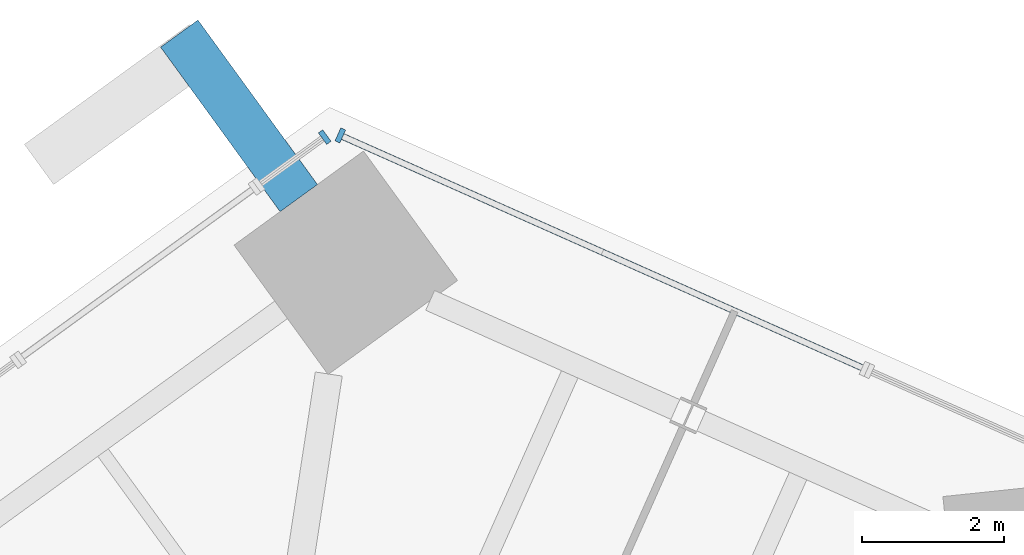
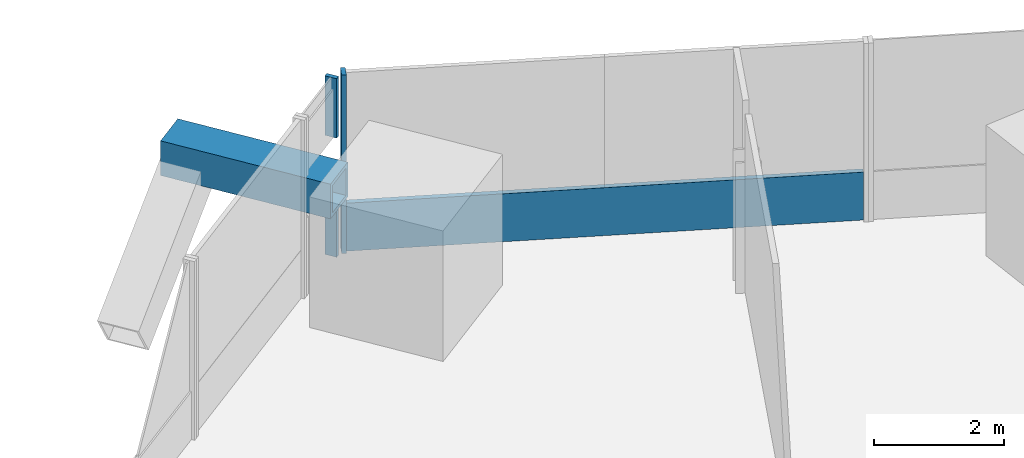
# One storey, part 10 of 25: 5 members, 3 elements without a shape of their own.
"""IFC4 building model written with IfcOpenShell, lengths in metres."""

from ifc_helpers import new_model, si_unit, direction, frame, origin, origin_2d, place, context, subcontext, project, spatial, rectangle, hollow_rectangle, extrude, source, transform, mapped, material, material_profile, profile_set, type_object, element, aggregate, save


model = new_model("IFC4")

# Units and contexts
model_context = context("Model", 3, precision=1e-05, world=origin(), true_north=direction((0.0, 1.0)))
body_context = subcontext(model_context, "Body", "Model", "MODEL_VIEW")
ifc_project = project(units=[si_unit("LENGTHUNIT", "METRE"), si_unit("AREAUNIT", "SQUARE_METRE"), si_unit("VOLUMEUNIT", "CUBIC_METRE"), si_unit("PLANEANGLEUNIT", "RADIAN"), si_unit("MASSUNIT", "GRAM", prefix="KILO")], contexts=[model_context])

# Site, building, storey
site_placement = place(None, origin())
site = spatial("IfcSite", under=ifc_project, at=site_placement, CompositionType="ELEMENT")
building_placement = place(site_placement, origin())
building = spatial("IfcBuilding", under=site, at=building_placement, Name="Triune Harvest Tower", CompositionType="ELEMENT")
storey_placement = place(building_placement, frame((0.0, 0.0, 90.89990234375)))
storey = spatial("IfcBuildingStorey", under=building, at=storey_placement, Name="L22", CompositionType="ELEMENT", Elevation=90.89990234375)

# Member
ifc_material_1 = material(Name="Steel ASTM A572 Gr 50", Category="steel")
ifc_material_profile_1 = material_profile(ifc_material_1, hollow_rectangle(XDim=0.64990234375, YDim=0.64990234375, WallThickness=0.070068359375, at=origin_2d()), Name="Box 650x650x70")
ifc_profile_set_1 = profile_set([ifc_material_profile_1], Name="Steel ASTM A572 Gr 50")
member_type_1 = type_object("IfcMemberType", Name="BS-1 Brace stub Box 650x650x70", PredefinedType="STRUT", material=ifc_profile_set_1)
member_1_placement = place(storey_placement, frame((7.964599609375, 33.248779296875, 1.85009765625), z_axis=(-0.587791027015, 0.809012798762, 0.0), x_axis=(-0.809012798762, -0.587791027015, 0.0)))
element("IfcMember", 1, at=member_1_placement, inside=storey, type_object=member_type_1, Name="brace/B2-F3/stub4", PredefinedType="STRUT", context=body_context, shape_type="SweptSolid", body=[
    extrude(hollow_rectangle(XDim=0.64990234375, YDim=0.64990234375, WallThickness=0.070068359375, at=origin_2d()), origin(), (0.0, 0.0, 1.0), 2.860595703125),
])

# Curtain wall, members
ifc_material_2 = material(Name="Aluminium bronze anodised", Category="aluminium")
curtain_wall_type_1 = type_object("IfcCurtainWallType", Name="CW-7 Tower stick curtain wall with insulated spandrel infill", PredefinedType="NOTDEFINED", material=ifc_material_2)
curtain_wall_1_placement = place(storey_placement, origin())
curtain_wall_1 = element("IfcCurtainWall", 2, at=curtain_wall_1_placement, inside=storey, type_object=curtain_wall_type_1, Name="CW-7 B2-F2 L22 run 1001")
ifc_material_3 = material(Name="Aluminium bronze anodised", Category="aluminium")
ifc_material_profile_2 = material_profile(ifc_material_3, rectangle(XDim=0.090087890625, YDim=0.89990234375, at=origin_2d()), Name="TR-1 transom 90 x 900")
ifc_profile_set_2 = profile_set([ifc_material_profile_2], Name="Aluminium bronze anodised")
member_type_2 = type_object("IfcMemberType", Name="TR-1 transom 90 x 900", PredefinedType="USERDEFINED", material=ifc_profile_set_2)
shared_shape_1 = source(origin(), body_context, "Body", "SweptSolid", [
    extrude(rectangle(XDim=0.090087890625, YDim=0.89990234375, at=origin_2d()), origin(), (0.0, 0.0, 1.0), 7.996826171875),
])
member_2_placement = place(storey_placement, frame((15.88818359375, 30.862548828125, 0.4501953125), z_axis=(-0.913552013876, 0.406721917216, 0.0), x_axis=(-0.406721917216, -0.913552013876, 0.0)))
member_2 = element("IfcMember", 3, at=member_2_placement, type_object=member_type_2, Name="CW-7 transom B2-F2 1001.1", ObjectType="TRANSOM", PredefinedType="USERDEFINED", context=body_context, shape_type="MappedRepresentation", body=[
    mapped(shared_shape_1, transform((0.0, 0.0, 0.0), scale=1.0)),
])
ifc_material_4 = material(Name="Aluminium bronze anodised", Category="aluminium")
ifc_material_profile_3 = material_profile(ifc_material_4, rectangle(XDim=0.199951171875, YDim=0.074951171875, at=origin_2d()), Name="MU-1 mullion 75 x 200")
ifc_profile_set_3 = profile_set([ifc_material_profile_3], Name="Aluminium bronze anodised")
member_type_3 = type_object("IfcMemberType", Name="MU-1 mullion 75 x 200", PredefinedType="MULLION", material=ifc_profile_set_3)
shared_shape_2 = source(origin(), body_context, "Body", "SweptSolid", [
    extrude(rectangle(XDim=0.199951171875, YDim=0.074951171875, at=origin_2d()), origin(), (0.0, 0.0, 1.0), 3.35009765625),
])
member_3_placement = place(storey_placement, frame((8.548583984375, 34.13037109375, 0.0), z_axis=(0.0, 0.0, 1.0), x_axis=(-0.406735413684, -0.913546005002, 0.0)))
member_3 = element("IfcMember", 4, at=member_3_placement, type_object=member_type_3, Name="CW-7 mullion B2-F2 1001.3", PredefinedType="MULLION", context=body_context, shape_type="MappedRepresentation", body=[
    mapped(shared_shape_2, transform((0.0, 0.0, 0.0), scale=1.0)),
])
aggregate(curtain_wall_1, [member_3, member_2])

# Curtain wall, member
ifc_material_5 = material(Name="Aluminium bronze anodised", Category="aluminium")
curtain_wall_type_2 = type_object("IfcCurtainWallType", Name="CW-1 Tower stick curtain wall", PredefinedType="NOTDEFINED", material=ifc_material_5)
curtain_wall_2_placement = place(storey_placement, origin())
curtain_wall_2 = element("IfcCurtainWall", 5, at=curtain_wall_2_placement, inside=storey, type_object=curtain_wall_type_2, Name="CW-1 B2-F3 L22 run 1")
shared_shape_3 = source(origin(), body_context, "Body", "SweptSolid", [
    extrude(rectangle(XDim=0.199951171875, YDim=0.074951171875, at=origin_2d()), origin(), (0.0, 0.0, 1.0), 1.465087890625),
])
member_4_placement = place(storey_placement, frame((8.328857421875, 34.107177734375, 0.0), z_axis=(0.0, 0.0, 1.0), x_axis=(0.587792061152, -0.809012047405, 0.0)))
member_4 = element("IfcMember", 6, at=member_4_placement, type_object=member_type_3, Name="CW-1 mullion B2-F3 1.1", PredefinedType="MULLION", context=body_context, shape_type="MappedRepresentation", body=[
    mapped(shared_shape_3, transform((0.0, 0.0, 0.0), scale=1.0)),
])
aggregate(curtain_wall_2, [member_4])

curtain_wall_3_placement = place(storey_placement, origin())
curtain_wall_3 = element("IfcCurtainWall", 7, at=curtain_wall_3_placement, inside=storey, type_object=curtain_wall_type_2, Name="CW-1 B2-F3 L22 run 101")
shared_shape_4 = source(origin(), body_context, "Body", "SweptSolid", [
    extrude(rectangle(XDim=0.199951171875, YDim=0.074951171875, at=origin_2d()), origin(), (0.0, 0.0, 1.0), 1.114990234375),
])
member_5_placement = place(storey_placement, frame((8.328857421875, 34.107177734375, 2.235107421875), z_axis=(0.0, 0.0, 1.0), x_axis=(0.587792061152, -0.809012047405, 0.0)))
member_5 = element("IfcMember", 8, at=member_5_placement, type_object=member_type_3, Name="CW-1 mullion B2-F3 101.1", PredefinedType="MULLION", context=body_context, shape_type="MappedRepresentation", body=[
    mapped(shared_shape_4, transform((0.0, 0.0, 0.0), scale=1.0)),
])
aggregate(curtain_wall_3, [member_5])

save(model, "model.ifc")
